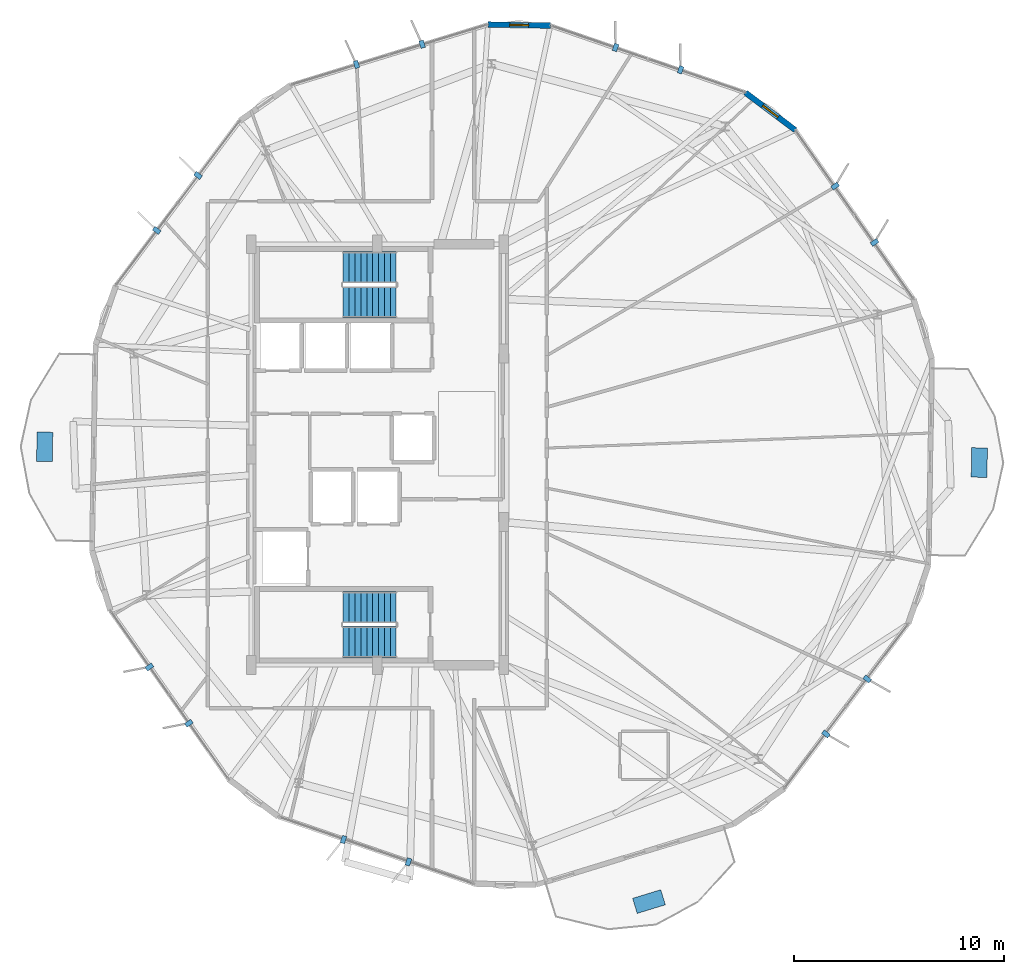
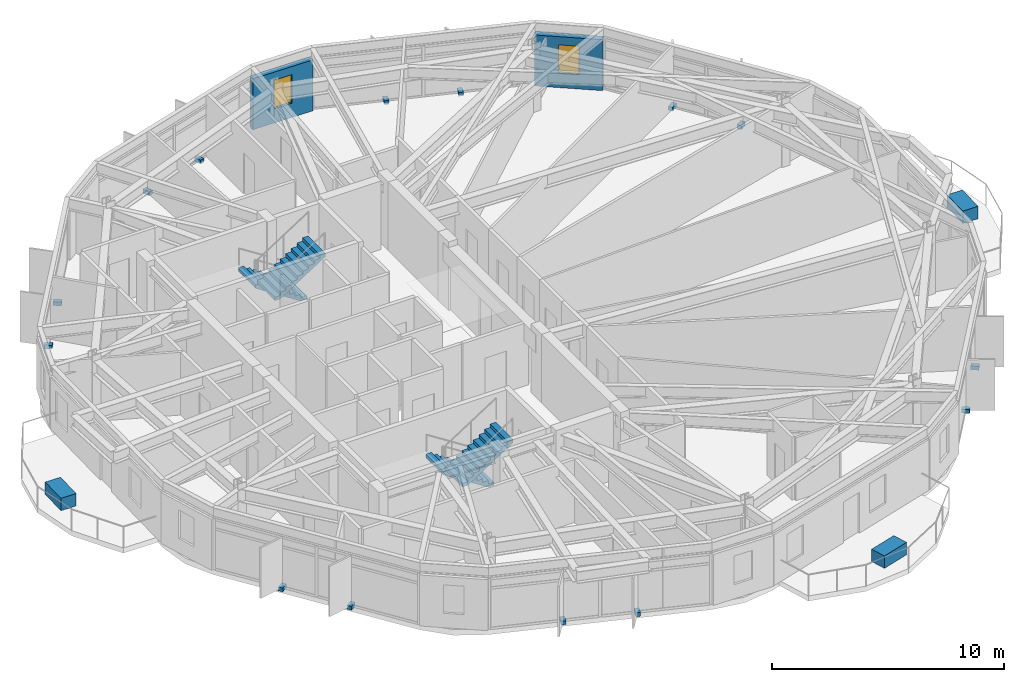
# One storey, part 26 of 29: 17 discrete accessories, 4 stair flights, 2 walls, 2 windows, 2 openings, 2 elements without a shape of their own.
"""IFC4 building model written with IfcOpenShell, lengths in metres."""

from ifc_helpers import new_model, si_unit, direction, frame, frame_2d, origin, origin_2d, place, context, subcontext, project, spatial, polyline, rectangle, outline, extrude, material, layer, layer_set, type_object, element, fill, aggregate, save


model = new_model("IFC4")

# Units and contexts
model_context = context("Model", 3, precision=1e-05, world=origin(), true_north=direction((0.0, 1.0)))
body_context = subcontext(model_context, "Body", "Model", "MODEL_VIEW")
ifc_project = project(units=[si_unit("LENGTHUNIT", "METRE"), si_unit("AREAUNIT", "SQUARE_METRE"), si_unit("VOLUMEUNIT", "CUBIC_METRE"), si_unit("PLANEANGLEUNIT", "RADIAN"), si_unit("MASSUNIT", "GRAM", prefix="KILO")], contexts=[model_context])

# Site, building, storey
site_placement = place(None, origin())
site = spatial("IfcSite", under=ifc_project, at=site_placement, CompositionType="ELEMENT")
building_placement = place(site_placement, origin())
building = spatial("IfcBuilding", under=site, at=building_placement, Name="Soratama Intermodal Tower", CompositionType="ELEMENT")
storey_placement = place(building_placement, frame((0.0, 0.0, 226.60009765625)))
storey = spatial("IfcBuildingStorey", under=building, at=storey_placement, Name="L57", CompositionType="ELEMENT", Elevation=226.60009765625)

# Wall, opening, window
ifc_material_1 = material(Name="Concrete f'c 42 MPa", Category="concrete")
ifc_layer_1 = layer(ifc_material_1, 0.27001953125)
ifc_layer_set_1 = layer_set([ifc_layer_1], Name="Concrete f'c 42 MPa")
wall_type = type_object("IfcWallType", Name="EW-CRN-270", PredefinedType="SOLIDWALL", material=ifc_layer_set_1)
wall_1_placement = place(storey_placement, frame((46.8251953125, 45.390380859375, 0.0), z_axis=(0.0, 0.0, 1.0), x_axis=(-0.999860453609, 0.016705487414, 0.0)))
wall_1 = element("IfcWall", 1, at=wall_1_placement, inside=storey, type_object=wall_type, Name="L57 Corner Closure Wall 01", PredefinedType="SOLIDWALL", context=body_context, shape_type="SweptSolid", body=[
    extrude(rectangle(XDim=2.966796875, YDim=0.27001953125, at=frame_2d((1.4833984375, 0.0))), origin(), (0.0, 0.0, 1.0), 2.678955078125),
])
opening_1_placement = place(wall_1_placement, frame((1.033203125, 0.0, 0.75)))
opening_1 = element("IfcOpeningElement", 2, at=opening_1_placement, cuts=wall_1, Name="Opening WN-6", PredefinedType="OPENING", context=body_context, shape_type="SweptSolid", body=[
    extrude(rectangle(XDim=0.89990234375, YDim=1.5, at=frame_2d((0.449951171875, 0.75))), frame((0.0, 0.14501953125, 0.0), z_axis=(0.0, -1.0, 0.0), x_axis=(1.0, 0.0, 0.0)), (0.0, 0.0, 1.0), 0.2900390625),
])
ifc_material_2 = material(Name="Double-glazed aluminium window", Category="aluminium")
window_type = type_object("IfcWindowType", Name="WN-FAC-900", PartitioningType="SINGLE_PANEL", PredefinedType="WINDOW", material=ifc_material_2)
window_1_placement = place(opening_1_placement, origin())
window_1 = element("IfcWindow", 3, at=window_1_placement, inside=storey, type_object=window_type, Name="L57 Corner Window 01", OverallHeight=1.5, OverallWidth=0.89990234375, PartitioningType="SINGLE_PANEL", PredefinedType="WINDOW", context=body_context, shape_type="SweptSolid", body=[
    extrude(rectangle(XDim=0.89990234375, YDim=1.5, at=frame_2d((0.449951171875, 0.75))), frame((0.0, 0.030029296875, 0.0), z_axis=(0.0, -1.0, 0.0), x_axis=(1.0, 0.0, 0.0)), (0.0, 0.0, 1.0), 0.06005859375),
])
fill(opening_1, window_1)

wall_2_placement = place(storey_placement, frame((58.461669921875, 40.42333984375, 0.0), z_axis=(0.0, 0.0, 1.0), x_axis=(-0.799041019951, 0.601276515786, 0.0)))
wall_2 = element("IfcWall", 4, at=wall_2_placement, inside=storey, type_object=wall_type, Name="L57 Corner Closure Wall 10", PredefinedType="SOLIDWALL", context=body_context, shape_type="SweptSolid", body=[
    extrude(rectangle(XDim=2.966552734375, YDim=0.27001953125, at=frame_2d((1.4833984375, 0.0))), origin(), (0.0, 0.0, 1.0), 2.678955078125),
])
opening_2_placement = place(wall_2_placement, frame((1.033203125, 0.0, 0.75)))
opening_2 = element("IfcOpeningElement", 5, at=opening_2_placement, cuts=wall_2, Name="Opening WN-6", PredefinedType="OPENING", context=body_context, shape_type="SweptSolid", body=[
    extrude(rectangle(XDim=0.89990234375, YDim=1.5, at=frame_2d((0.449951171875, 0.75))), frame((0.0, 0.14501953125, 0.0), z_axis=(0.0, -1.0, 0.0), x_axis=(1.0, 0.0, 0.0)), (0.0, 0.0, 1.0), 0.2900390625),
])
window_2_placement = place(opening_2_placement, origin())
window_2 = element("IfcWindow", 6, at=window_2_placement, inside=storey, type_object=window_type, Name="L57 Corner Window 10", OverallHeight=1.5, OverallWidth=0.89990234375, PartitioningType="SINGLE_PANEL", PredefinedType="WINDOW", context=body_context, shape_type="SweptSolid", body=[
    extrude(rectangle(XDim=0.89990234375, YDim=1.5, at=frame_2d((0.449951171875, 0.75))), frame((0.0, 0.030029296875, 0.0), z_axis=(0.0, -1.0, 0.0), x_axis=(1.0, 0.0, 0.0)), (0.0, 0.0, 1.0), 0.06005859375),
])
fill(opening_2, window_2)

# Stair, stair flights
ifc_material_3 = material(Name="Concrete f'c 42 MPa", Category="concrete")
stair_type = type_object("IfcStairType", Name="ST-CORE-DOGLEG", PredefinedType="HALF_TURN_STAIR", material=ifc_material_3)
stair_1_placement = place(storey_placement, origin())
stair_1 = element("IfcStair", 7, at=stair_1_placement, inside=storey, type_object=stair_type, Name="L57 ST-1", PredefinedType="HALF_TURN_STAIR")
ifc_material_4 = material(Name="Precast concrete f'c 40 MPa", Category="concrete")
ifc_layer_2 = layer(ifc_material_4, 0.199951171875)
ifc_layer_set_2 = layer_set([ifc_layer_2], Name="Precast concrete f'c 40 MPa")
stair_flight_type = type_object("IfcStairFlightType", Name="SF-FLIGHT-RC", PredefinedType="STRAIGHT", material=ifc_layer_set_2)
stair_flight_1_placement = place(storey_placement, frame((39.5, 17.75, 0.0), z_axis=(0.0, 0.0, 1.0), x_axis=(-1.0, 0.0, 0.0)))
stair_flight_1 = element("IfcStairFlight", 8, at=stair_flight_1_placement, type_object=stair_flight_type, Name="ST-1 flight 1", NumberOfRisers=10, NumberOfTreads=9, PredefinedType="STRAIGHT", RiserHeight=0.18, TreadLength=0.28, context=body_context, shape_type="SweptSolid", body=[
    extrude(outline(polyline([(0.0, 0.0), (0.0, 0.179931640625), (0.280029296875, 0.179931640625), (0.280029296875, 0.360107421875), (0.56005859375, 0.360107421875), (0.56005859375, 0.5400390625), (0.840087890625, 0.5400390625), (0.840087890625, 0.719970703125), (1.1201171875, 0.719970703125), (1.1201171875, 0.89990234375), (1.39990234375, 0.89990234375), (1.39990234375, 1.080078125), (1.679931640625, 1.080078125), (1.679931640625, 1.260009765625), (1.9599609375, 1.260009765625), (1.9599609375, 1.43994140625), (2.239990234375, 1.43994140625), (2.239990234375, 1.6201171875), (2.52001953125, 1.6201171875), (2.52001953125, 1.800048828125), (2.52001953125, 1.44189453125), (0.277099609375, 0.0), (0.0, 0.0)])), frame((0.0, 0.75, 0.0), z_axis=(0.0, -1.0, 0.0), x_axis=(1.0, 0.0, 0.0)), (0.0, 0.0, 1.0), 1.5),
])
stair_flight_2_placement = place(storey_placement, frame((36.97998046875, 16.10009765625, 1.7998046875), z_axis=(0.0, 0.0, 1.0), x_axis=(1.0, 0.0, 0.0)))
stair_flight_2 = element("IfcStairFlight", 9, at=stair_flight_2_placement, type_object=stair_flight_type, Name="ST-1 flight 2", NumberOfRisers=10, NumberOfTreads=9, PredefinedType="STRAIGHT", RiserHeight=0.18, TreadLength=0.28, context=body_context, shape_type="SweptSolid", body=[
    extrude(outline(polyline([(0.0, 0.0), (0.0, 0.179931640625), (0.280029296875, 0.179931640625), (0.280029296875, 0.360107421875), (0.56005859375, 0.360107421875), (0.56005859375, 0.5400390625), (0.840087890625, 0.5400390625), (0.840087890625, 0.719970703125), (1.1201171875, 0.719970703125), (1.1201171875, 0.89990234375), (1.39990234375, 0.89990234375), (1.39990234375, 1.080078125), (1.679931640625, 1.080078125), (1.679931640625, 1.260009765625), (1.9599609375, 1.260009765625), (1.9599609375, 1.43994140625), (2.239990234375, 1.43994140625), (2.239990234375, 1.6201171875), (2.52001953125, 1.6201171875), (2.52001953125, 1.800048828125), (2.52001953125, 1.44189453125), (0.277099609375, 0.0), (0.0, 0.0)])), frame((0.0, 0.75, 0.0), z_axis=(0.0, -1.0, 0.0), x_axis=(1.0, 0.0, 0.0)), (0.0, 0.0, 1.0), 1.5),
])
aggregate(stair_1, [stair_flight_1, stair_flight_2])

stair_2_placement = place(storey_placement, origin())
stair_2 = element("IfcStair", 10, at=stair_2_placement, inside=storey, type_object=stair_type, Name="L57 ST-2", PredefinedType="HALF_TURN_STAIR")
stair_flight_3_placement = place(storey_placement, frame((39.5, 33.89990234375, 0.0), z_axis=(0.0, 0.0, 1.0), x_axis=(-1.0, 0.0, 0.0)))
stair_flight_3 = element("IfcStairFlight", 11, at=stair_flight_3_placement, type_object=stair_flight_type, Name="ST-2 flight 1", NumberOfRisers=10, NumberOfTreads=9, PredefinedType="STRAIGHT", RiserHeight=0.18, TreadLength=0.28, context=body_context, shape_type="SweptSolid", body=[
    extrude(outline(polyline([(0.0, 0.0), (0.0, 0.179931640625), (0.280029296875, 0.179931640625), (0.280029296875, 0.360107421875), (0.56005859375, 0.360107421875), (0.56005859375, 0.5400390625), (0.840087890625, 0.5400390625), (0.840087890625, 0.719970703125), (1.1201171875, 0.719970703125), (1.1201171875, 0.89990234375), (1.39990234375, 0.89990234375), (1.39990234375, 1.080078125), (1.679931640625, 1.080078125), (1.679931640625, 1.260009765625), (1.9599609375, 1.260009765625), (1.9599609375, 1.43994140625), (2.239990234375, 1.43994140625), (2.239990234375, 1.6201171875), (2.52001953125, 1.6201171875), (2.52001953125, 1.800048828125), (2.52001953125, 1.44189453125), (0.277099609375, 0.0), (0.0, 0.0)])), frame((0.0, 0.75, 0.0), z_axis=(0.0, -1.0, 0.0), x_axis=(1.0, 0.0, 0.0)), (0.0, 0.0, 1.0), 1.5),
])
stair_flight_4_placement = place(storey_placement, frame((36.97998046875, 32.25, 1.7998046875), z_axis=(0.0, 0.0, 1.0), x_axis=(1.0, 0.0, 0.0)))
stair_flight_4 = element("IfcStairFlight", 12, at=stair_flight_4_placement, type_object=stair_flight_type, Name="ST-2 flight 2", NumberOfRisers=10, NumberOfTreads=9, PredefinedType="STRAIGHT", RiserHeight=0.18, TreadLength=0.28, context=body_context, shape_type="SweptSolid", body=[
    extrude(outline(polyline([(0.0, 0.0), (0.0, 0.179931640625), (0.280029296875, 0.179931640625), (0.280029296875, 0.360107421875), (0.56005859375, 0.360107421875), (0.56005859375, 0.5400390625), (0.840087890625, 0.5400390625), (0.840087890625, 0.719970703125), (1.1201171875, 0.719970703125), (1.1201171875, 0.89990234375), (1.39990234375, 0.89990234375), (1.39990234375, 1.080078125), (1.679931640625, 1.080078125), (1.679931640625, 1.260009765625), (1.9599609375, 1.260009765625), (1.9599609375, 1.43994140625), (2.239990234375, 1.43994140625), (2.239990234375, 1.6201171875), (2.52001953125, 1.6201171875), (2.52001953125, 1.800048828125), (2.52001953125, 1.44189453125), (0.277099609375, 0.0), (0.0, 0.0)])), frame((0.0, 0.75, 0.0), z_axis=(0.0, -1.0, 0.0), x_axis=(1.0, 0.0, 0.0)), (0.0, 0.0, 1.0), 1.5),
])
aggregate(stair_2, [stair_flight_3, stair_flight_4])

# Discrete accessories
ifc_material_5 = material(Name="Structural steel ASTM A992 Grade 50", Category="steel")
discrete_accessory_type_1 = type_object("IfcDiscreteAccessoryType", Name="AC-FIN-BRACKET", PredefinedType="BRACKET", material=ifc_material_5)
for number, where, z_axis, x_axis, name in (
    (13, (53.009033203125, 43.287109375, -0.080078125), (0.0, 0.0, 1.0), (0.32490797868, 0.945745634613, 0.0), "L57 Fin Bracket F01-1"),
    (14, (49.92041015625, 44.34814453125, -0.080078125), (0.0, 0.0, 1.0), (0.32490797868, 0.945745634613, 0.0), "L57 Fin Bracket F01-2"),
    (15, (40.730712890625, 44.502197265625, -0.080078125), (0.0, 0.0, 1.0), (-0.293039260085, 0.956100408978, 0.0), "L57 Fin Bracket F02-1"),
    (16, (37.608154296875, 43.545166015625, -0.080078125), (0.0, 0.0, 1.0), (-0.293039260085, 0.956100408978, 0.0), "L57 Fin Bracket F02-2"),
    (17, (30.0830078125, 38.26806640625, -0.080078125), (0.0, 0.0, 1.0), (-0.799055461536, 0.601257323772, 0.0), "L57 Fin Bracket F03-1"),
    (18, (28.119384765625, 35.658447265625, -0.080078125), (0.0, 0.0, 1.0), (-0.799055461536, 0.601257323772, 0.0), "L57 Fin Bracket F03-2"),
    (19, (27.771728515625, 14.9130859375, -0.080078125), (0.0, 0.0, 1.0), (-0.818751412806, -0.574148172537, 0.0), "L57 Fin Bracket F05-1"),
    (20, (29.646728515625, 12.2392578125, -0.080078125), (0.0, 0.0, 1.0), (-0.818751412806, -0.574148172537, 0.0), "L57 Fin Bracket F05-2"),
    (21, (36.990966796875, 6.712890625, -0.080078125), (0.0, 0.0, 1.0), (-0.32490797868, -0.945745634613, 0.0), "L57 Fin Bracket F06-1"),
    (22, (40.07958984375, 5.65185546875, -0.080078125), (0.0, 0.0, 1.0), (-0.32490797868, -0.945745634613, 0.0), "L57 Fin Bracket F06-2"),
    (23, (59.9169921875, 11.73193359375, -0.080078125), (0.0, 0.0, 1.0), (0.799055461536, -0.601257323772, 0.0), "L57 Fin Bracket F08-1"),
    (24, (61.880615234375, 14.341552734375, -0.080078125), (0.0, 0.0, 1.0), (0.799055461536, -0.601257323772, 0.0), "L57 Fin Bracket F08-2"),
    (25, (62.228271484375, 35.0869140625, -0.080078125), (0.0, 0.0, 1.0), (0.818751412806, 0.574148172537, 0.0), "L57 Fin Bracket F10-1"),
    (26, (60.353271484375, 37.7607421875, -0.080078125), (0.0, 0.0, 1.0), (0.818751412806, 0.574148172537, 0.0), "L57 Fin Bracket F10-2"),
):
    element("IfcDiscreteAccessory", number, at=place(storey_placement, frame(where, z_axis=z_axis, x_axis=x_axis)), inside=storey, type_object=discrete_accessory_type_1, Name=name, PredefinedType="BRACKET", context=body_context, shape_type="SweptSolid", body=[
        extrude(rectangle(XDim=0.360107421875, YDim=0.219970703125, at=origin_2d()), origin(), (0.0, 0.0, 1.0), 0.199951171875),
    ])
ifc_material_6 = material(Name="Precast concrete f'c 40 MPa", Category="concrete")
discrete_accessory_type_2 = type_object("IfcDiscreteAccessoryType", Name="AC-PLANTER-TREE", PredefinedType="USERDEFINED", material=ifc_material_6)
for number, where, z_axis, x_axis, name in (
    (27, (67.2041015625, 24.6279296875, 0.0), (0.0, 0.0, 1.0), (0.999859635577, -0.016754376869, 0.0), "L57 Tree Planter 1"),
    (28, (22.7958984375, 25.3720703125, 0.0), (0.0, 0.0, 1.0), (-0.999859635577, 0.016754376869, 0.0), "L57 Tree Planter 2"),
    (29, (51.507568359375, 3.767822265625, 0.0), (0.0, 0.0, 1.0), (0.293039260085, -0.956100408978, 0.0), "L57 Tree Planter 3"),
):
    element("IfcDiscreteAccessory", number, at=place(storey_placement, frame(where, z_axis=z_axis, x_axis=x_axis)), inside=storey, type_object=discrete_accessory_type_2, Name=name, ObjectType="PLANTER", PredefinedType="USERDEFINED", context=body_context, shape_type="SweptSolid", body=[
        extrude(rectangle(XDim=0.75, YDim=1.39990234375, at=origin_2d()), origin(), (0.0, 0.0, 1.0), 0.64990234375),
    ])

save(model, "model.ifc")
